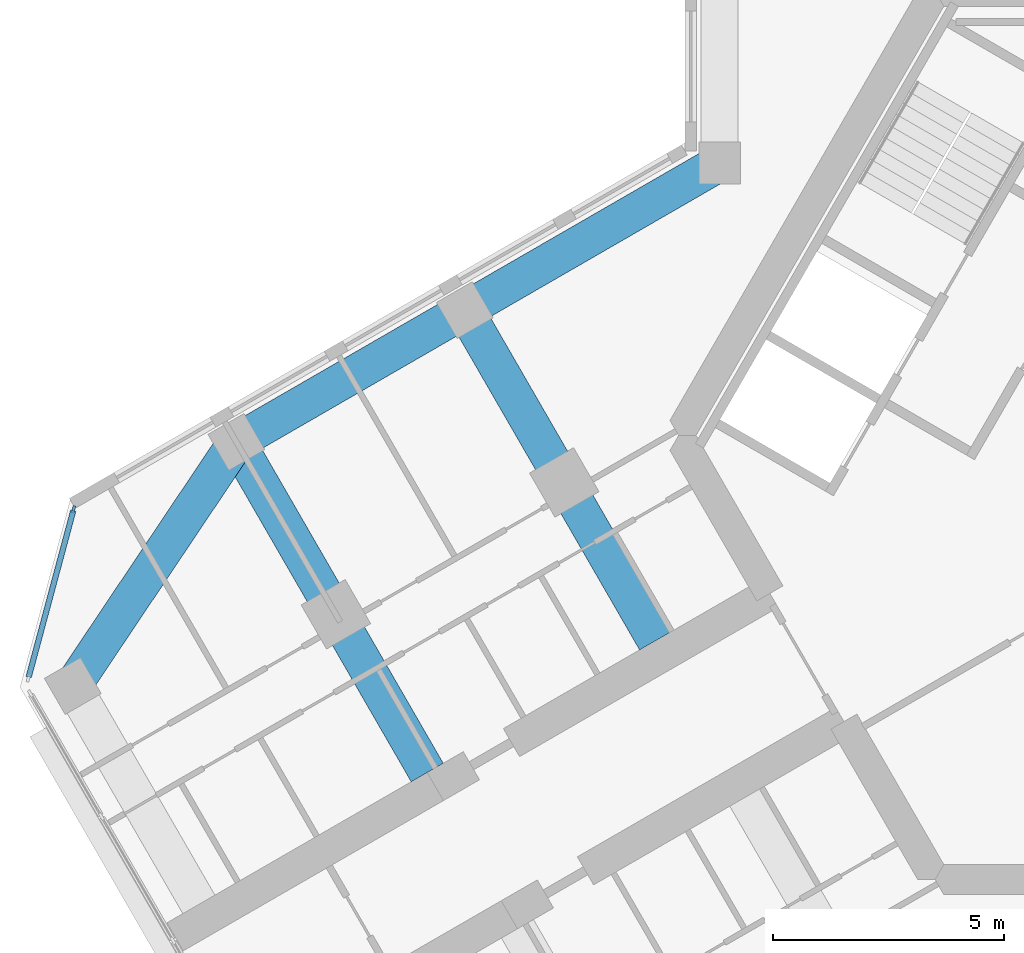
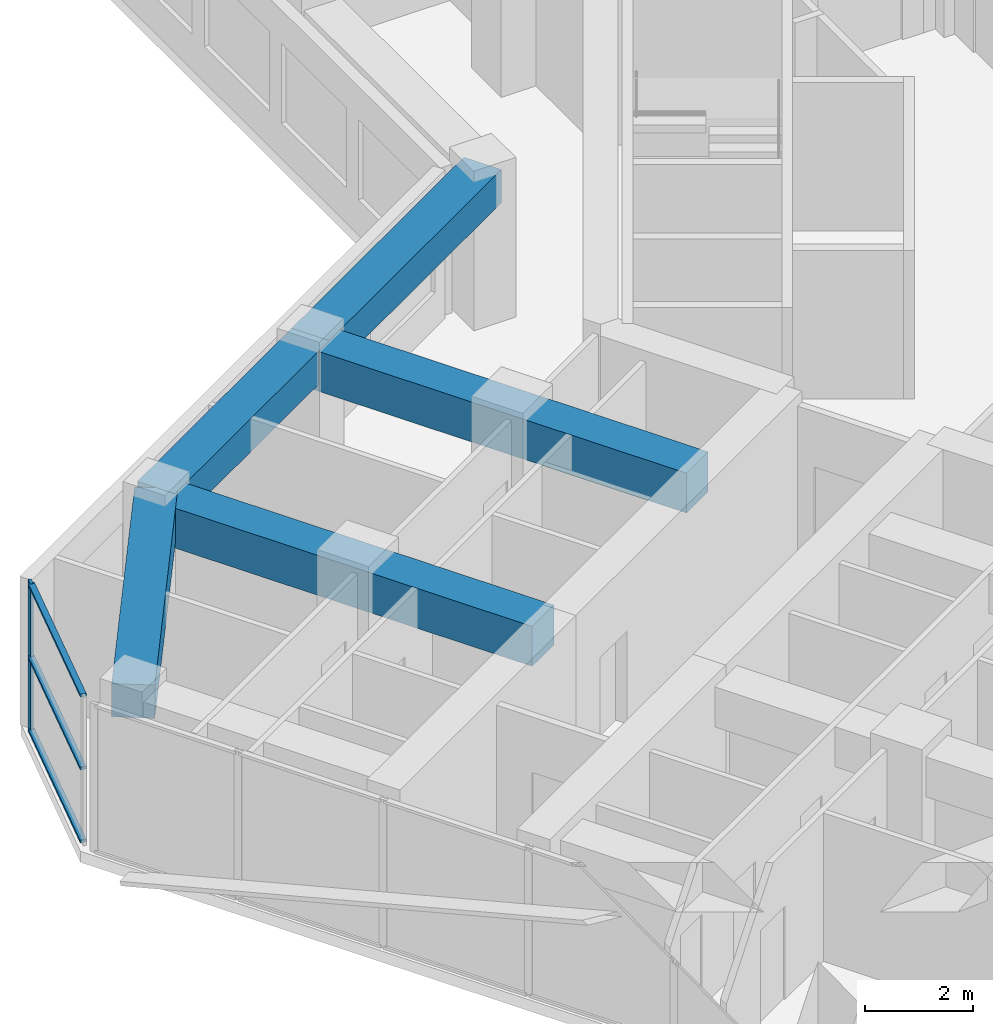
# One storey, part 3 of 16: 5 beams, 4 members, 1 element without a shape of its own.
"""IFC4 building model written with IfcOpenShell, lengths in metres."""

from ifc_helpers import new_model, si_unit, direction, frame, origin, origin_2d, place, context, subcontext, project, spatial, rectangle, extrude, material, material_profile, profile_set, type_object, element, aggregate, save


model = new_model("IFC4")

# Units and contexts
model_context = context("Model", 3, precision=1e-05, world=origin(), true_north=direction((0.0, 1.0)))
body_context = subcontext(model_context, "Body", "Model", "MODEL_VIEW")
ifc_project = project(units=[si_unit("LENGTHUNIT", "METRE"), si_unit("AREAUNIT", "SQUARE_METRE"), si_unit("VOLUMEUNIT", "CUBIC_METRE"), si_unit("PLANEANGLEUNIT", "RADIAN"), si_unit("MASSUNIT", "GRAM", prefix="KILO")], contexts=[model_context])

# Site, building, storey
site_placement = place(None, origin())
site = spatial("IfcSite", under=ifc_project, at=site_placement, CompositionType="ELEMENT")
building_placement = place(site_placement, origin())
building = spatial("IfcBuilding", under=site, at=building_placement, Name="Kosmar Iwan School Tower", CompositionType="ELEMENT")
storey_placement = place(building_placement, frame((0.0, 0.0, 208.199951171875)))
storey = spatial("IfcBuildingStorey", under=building, at=storey_placement, Name="L52", CompositionType="ELEMENT", Elevation=208.199951171875)

# Curtain wall, member
ifc_material_1 = material(Name="Dark glass in black aluminium frame", Category="aluminium")
curtain_wall_type = type_object("IfcCurtainWallType", Name="Chamfer curtain wall dark glass", PredefinedType="USERDEFINED", material=ifc_material_1)
curtain_wall_placement = place(storey_placement, origin())
curtain_wall = element("IfcCurtainWall", 1, at=curtain_wall_placement, inside=storey, type_object=curtain_wall_type, Name="Curtain wall L52-F10", ObjectType="FACETED CURTAIN WALL", PredefinedType="USERDEFINED")
ifc_material_2 = material(Name="Black anodised aluminium", Category="aluminium")
ifc_material_profile_1 = material_profile(ifc_material_2, rectangle(XDim=0.06005859375, YDim=0.159912109375, at=origin_2d()), Name="MULLION 60x160")
ifc_profile_set_1 = profile_set([ifc_material_profile_1], Name="Black anodised aluminium")
member_type_1 = type_object("IfcMemberType", Name="Mullion 60x160", PredefinedType="MULLION", material=ifc_profile_set_1)
member_1_placement = place(storey_placement, frame((-24.163818359375, -1.59814453125, 0.0), z_axis=(0.0, 0.0, 1.0), x_axis=(0.965925875495, -0.258818861462, 0.0)))
member_1 = element("IfcMember", 2, at=member_1_placement, type_object=member_type_1, Name="CW2 mullion 1", PredefinedType="MULLION", context=body_context, shape_type="SweptSolid", body=[
    extrude(rectangle(XDim=0.06005859375, YDim=0.159912109375, at=origin_2d()), origin(), (0.0, 0.0, 1.0), 3.35009765625),
])

# Beams
ifc_material_3 = material(Name="Concrete C50/60", Category="concrete")
ifc_material_profile_2 = material_profile(ifc_material_3, rectangle(XDim=0.800048828125, YDim=0.75, at=origin_2d()), Name="RC 800x750")
ifc_profile_set_2 = profile_set([ifc_material_profile_2], Name="Concrete C50/60")
beam_type_1 = type_object("IfcBeamType", Name="RC edge beam 800x750", PredefinedType="BEAM", material=ifc_profile_set_2)
beam_1_placement = place(storey_placement, frame((-10.199951171875, 5.888916015625, 2.97509765625), z_axis=(-0.866030912664, -0.49999045822, 0.0), x_axis=(0.49999045822, -0.866030912664, 0.0)))
element("IfcBeam", 3, at=beam_1_placement, inside=storey, type_object=beam_type_1, Name="Edge beam BR1", PredefinedType="BEAM", context=body_context, shape_type="SweptSolid", body=[
    extrude(rectangle(XDim=0.800048828125, YDim=0.75, at=origin_2d()), origin(), (0.0, 0.0, 1.0), 6.36083984375),
])
beam_2_placement = place(storey_placement, frame((-15.708740234375, 2.70849609375, 2.97509765625), z_axis=(-0.866025820012, -0.499999279071, 0.0), x_axis=(0.499999279071, -0.866025820012, 0.0)))
element("IfcBeam", 4, at=beam_2_placement, inside=storey, type_object=beam_type_1, Name="Edge beam BR2", PredefinedType="BEAM", context=body_context, shape_type="SweptSolid", body=[
    extrude(rectangle(XDim=0.800048828125, YDim=0.75, at=origin_2d()), origin(), (0.0, 0.0, 1.0), 5.7001953125),
])
ifc_material_4 = material(Name="Concrete C50/60", Category="concrete")
ifc_material_profile_3 = material_profile(ifc_material_4, rectangle(XDim=0.800048828125, YDim=0.75, at=origin_2d()), Name="RC 800x750")
ifc_profile_set_3 = profile_set([ifc_material_profile_3], Name="Concrete C50/60")
beam_type_2 = type_object("IfcBeamType", Name="RC tip beam 800x750", PredefinedType="BEAM", material=ifc_profile_set_3)
beam_3_placement = place(storey_placement, frame((-20.645263671875, -0.1416015625, 2.97509765625), z_axis=(-0.556827604145, -0.83062808721, 0.0), x_axis=(0.83062808721, -0.556827604145, 0.0)))
element("IfcBeam", 5, at=beam_3_placement, inside=storey, type_object=beam_type_2, Name="Tip beam BR", PredefinedType="BEAM", context=body_context, shape_type="SweptSolid", body=[
    extrude(rectangle(XDim=0.800048828125, YDim=0.75, at=origin_2d()), origin(), (0.0, 0.0, 1.0), 6.3505859375),
])
ifc_material_5 = material(Name="Concrete C50/60", Category="concrete")
ifc_material_profile_4 = material_profile(ifc_material_5, rectangle(XDim=0.800048828125, YDim=0.89990234375, at=origin_2d()), Name="RC 800x900")
ifc_profile_set_4 = profile_set([ifc_material_profile_4], Name="Concrete C50/60")
beam_type_3 = type_object("IfcBeamType", Name="RC transverse beam 800x900", PredefinedType="BEAM", material=ifc_profile_set_4)
beam_4_placement = place(storey_placement, frame((-15.708740234375, 2.70849609375, 2.900146484375), z_axis=(0.499996545922, -0.866027397988, 0.0), x_axis=(0.866027397988, 0.499996545922, 0.0)))
element("IfcBeam", 6, at=beam_4_placement, inside=storey, type_object=beam_type_3, Name="Transverse beam BR1", PredefinedType="BEAM", context=body_context, shape_type="SweptSolid", body=[
    extrude(rectangle(XDim=0.800048828125, YDim=0.89990234375, at=origin_2d()), origin(), (0.0, 0.0, 1.0), 8.25),
])
beam_5_placement = place(storey_placement, frame((-20.645263671875, -0.1416015625, 2.900146484375), z_axis=(0.500009360108, -0.866019999656, 0.0), x_axis=(0.866019999656, 0.500009360108, 0.0)))
element("IfcBeam", 7, at=beam_5_placement, inside=storey, type_object=beam_type_3, Name="Transverse beam BR2", PredefinedType="BEAM", context=body_context, shape_type="SweptSolid", body=[
    extrude(rectangle(XDim=0.800048828125, YDim=0.89990234375, at=origin_2d()), origin(), (0.0, 0.0, 1.0), 8.249755859375),
])

# Member
ifc_material_6 = material(Name="Black anodised aluminium", Category="aluminium")
ifc_material_profile_5 = material_profile(ifc_material_6, rectangle(XDim=0.1201171875, YDim=0.06005859375, at=origin_2d()), Name="TRANSOM 60x120")
ifc_profile_set_5 = profile_set([ifc_material_profile_5], Name="Black anodised aluminium")
member_type_2 = type_object("IfcMemberType", Name="Transom 60x120", PredefinedType="USERDEFINED", material=ifc_profile_set_5)
member_2_placement = place(storey_placement, frame((-24.17138671875, -1.627197265625, 0.030029296875), z_axis=(-0.258843273983, -0.965919333854, 0.0), x_axis=(0.965919333854, -0.258843273983, 0.0)))
member_2 = element("IfcMember", 8, at=member_2_placement, type_object=member_type_2, Name="CW2 transom 1.1", ObjectType="TRANSOM", PredefinedType="USERDEFINED", context=body_context, shape_type="SweptSolid", body=[
    extrude(rectangle(XDim=0.1201171875, YDim=0.06005859375, at=origin_2d()), origin(), (0.0, 0.0, 1.0), 3.718994140625),
])

member_3_placement = place(storey_placement, frame((-24.17138671875, -1.627197265625, 1.675048828125), z_axis=(-0.258843273983, -0.965919333854, 0.0), x_axis=(0.965919333854, -0.258843273983, 0.0)))
member_3 = element("IfcMember", 9, at=member_3_placement, type_object=member_type_2, Name="CW2 transom 1.2", ObjectType="TRANSOM", PredefinedType="USERDEFINED", context=body_context, shape_type="SweptSolid", body=[
    extrude(rectangle(XDim=0.1201171875, YDim=0.06005859375, at=origin_2d()), origin(), (0.0, 0.0, 1.0), 3.718994140625),
])

member_4_placement = place(storey_placement, frame((-24.17138671875, -1.627197265625, 3.320068359375), z_axis=(-0.258843273983, -0.965919333854, 0.0), x_axis=(0.965919333854, -0.258843273983, 0.0)))
member_4 = element("IfcMember", 10, at=member_4_placement, type_object=member_type_2, Name="CW2 transom 1.3", ObjectType="TRANSOM", PredefinedType="USERDEFINED", context=body_context, shape_type="SweptSolid", body=[
    extrude(rectangle(XDim=0.1201171875, YDim=0.06005859375, at=origin_2d()), origin(), (0.0, 0.0, 1.0), 3.718994140625),
])

aggregate(curtain_wall, [member_1, member_2, member_3, member_4])

save(model, "model.ifc")
